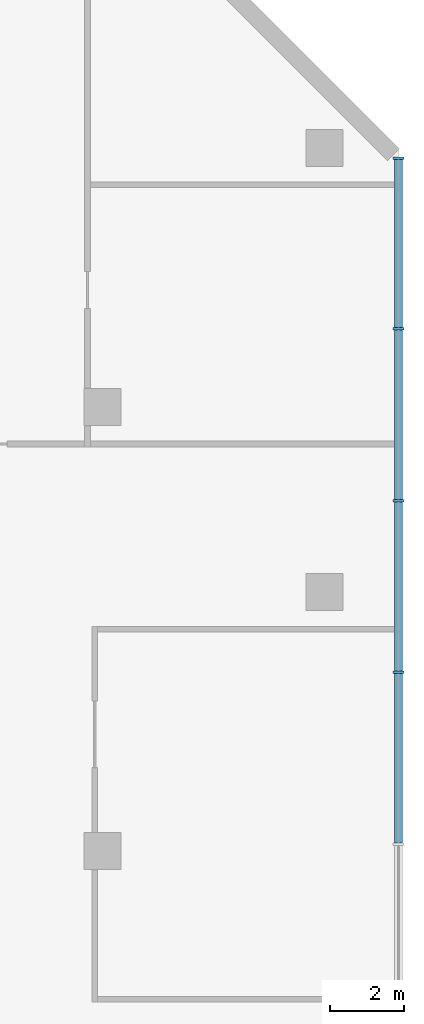
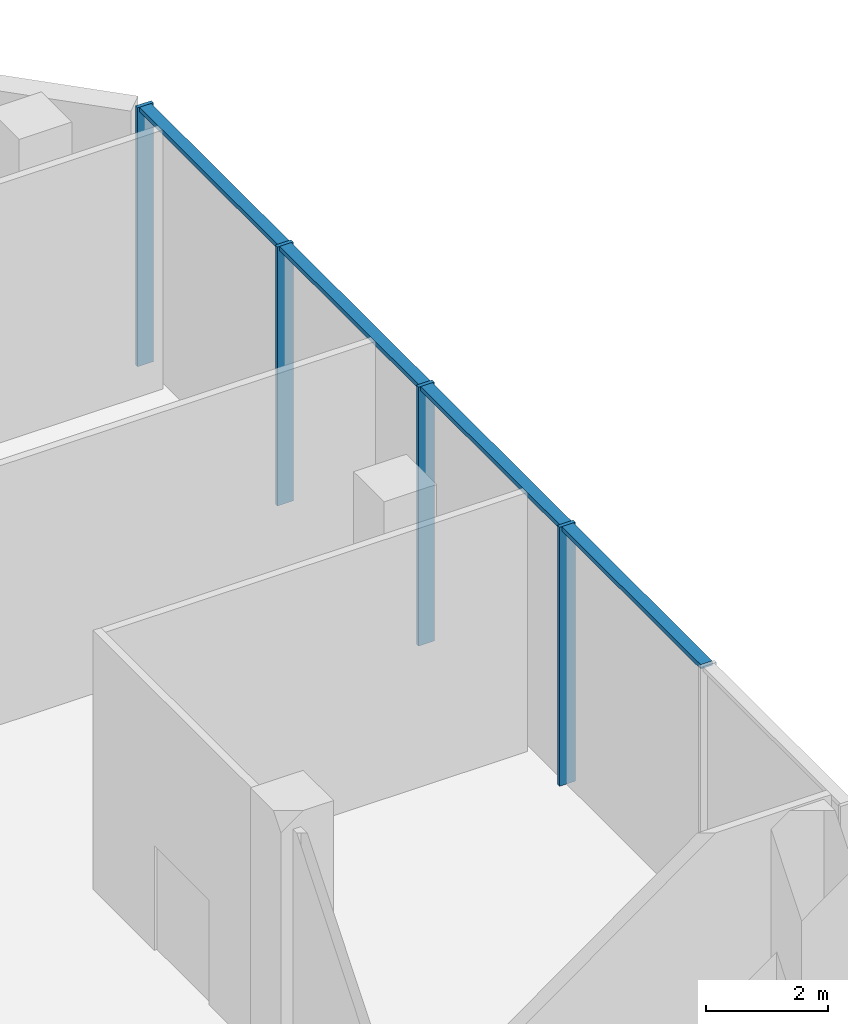
# One storey, part 7 of 25: 8 members, 1 element without a shape of its own.
"""IFC4 building model written with IfcOpenShell, lengths in metres."""

from ifc_helpers import new_model, si_unit, direction, frame, origin, origin_2d, place, context, subcontext, project, spatial, rectangle, extrude, material, material_profile, profile_set, type_object, element, aggregate, save


model = new_model("IFC4")

# Units and contexts
model_context = context("Model", 3, precision=1e-05, world=origin(), true_north=direction((0.0, 1.0)))
body_context = subcontext(model_context, "Body", "Model", "MODEL_VIEW")
ifc_project = project(units=[si_unit("LENGTHUNIT", "METRE"), si_unit("AREAUNIT", "SQUARE_METRE"), si_unit("VOLUMEUNIT", "CUBIC_METRE"), si_unit("PLANEANGLEUNIT", "RADIAN"), si_unit("MASSUNIT", "GRAM", prefix="KILO")], contexts=[model_context])

# Site, building, storey
site_placement = place(None, origin())
site = spatial("IfcSite", under=ifc_project, at=site_placement, CompositionType="ELEMENT")
building_placement = place(site_placement, origin())
building = spatial("IfcBuilding", under=site, at=building_placement, Name="Wharfspan Tower", CompositionType="ELEMENT")
storey_placement = place(building_placement, frame((0.0, 0.0, 27.5)))
storey = spatial("IfcBuildingStorey", under=building, at=storey_placement, Name="L04", CompositionType="ELEMENT", Elevation=27.5)

# Curtain wall, members
ifc_material = material(Name="Aluminium 6063-T6", Category="aluminium")
curtain_wall_type = type_object("IfcCurtainWallType", Name="CURTAIN WALL ARENA STICK WALL", PredefinedType="NOTDEFINED", material=ifc_material)
curtain_wall_placement = place(storey_placement, origin())
curtain_wall = element("IfcCurtainWall", 1, at=curtain_wall_placement, inside=storey, type_object=curtain_wall_type, Name="Concourse stick wall PF3.3", PredefinedType="NOTDEFINED")
ifc_material_profile_1 = material_profile(ifc_material, rectangle(XDim=0.300049, YDim=0.070068, at=origin_2d()))
ifc_profile_set_1 = profile_set([ifc_material_profile_1], Name="Aluminium 6063-T6")
member_type_1 = type_object("IfcMemberType", Name="MULLION ARENA STICK WALL 70x300", PredefinedType="MULLION", material=ifc_profile_set_1)
member_1_placement = place(storey_placement, frame((108.0, 35.830078, 0.0), z_axis=(0.0, 0.0, 1.0), x_axis=(-1.0, 0.0, 0.0)))
member_1 = element("IfcMember", 2, at=member_1_placement, type_object=member_type_1, Name="Concourse stick wall PF3.3 mullion 3", PredefinedType="MULLION", context=body_context, shape_type="SweptSolid", body=[
    extrude(rectangle(XDim=0.300049, YDim=0.070068, at=origin_2d()), origin(), (0.0, 0.0, 1.0), 5.199951),
])
member_2_placement = place(storey_placement, frame((108.0, 40.469971, 0.0), z_axis=(0.0, 0.0, 1.0), x_axis=(-1.0, 0.0, 0.0)))
member_2 = element("IfcMember", 3, at=member_2_placement, type_object=member_type_1, Name="Concourse stick wall PF3.3 mullion 4", PredefinedType="MULLION", context=body_context, shape_type="SweptSolid", body=[
    extrude(rectangle(XDim=0.300049, YDim=0.070068, at=origin_2d()), origin(), (0.0, 0.0, 1.0), 5.199951),
])
member_3_placement = place(storey_placement, frame((108.0, 45.110107, 0.0), z_axis=(0.0, 0.0, 1.0), x_axis=(-1.0, 0.0, 0.0)))
member_3 = element("IfcMember", 4, at=member_3_placement, type_object=member_type_1, Name="Concourse stick wall PF3.3 mullion 5", PredefinedType="MULLION", context=body_context, shape_type="SweptSolid", body=[
    extrude(rectangle(XDim=0.300049, YDim=0.070068, at=origin_2d()), origin(), (0.0, 0.0, 1.0), 5.199951),
])
member_4_placement = place(storey_placement, frame((108.0, 49.715088, 0.0), z_axis=(0.0, 0.0, 1.0), x_axis=(-1.0, 0.0, 0.0)))
member_4 = element("IfcMember", 5, at=member_4_placement, type_object=member_type_1, Name="Concourse stick wall PF3.3 mullion 6", PredefinedType="MULLION", context=body_context, shape_type="SweptSolid", body=[
    extrude(rectangle(XDim=0.300049, YDim=0.070068, at=origin_2d()), origin(), (0.0, 0.0, 1.0), 5.199951),
])
ifc_material_profile_2 = material_profile(ifc_material, rectangle(XDim=0.219971, YDim=0.090088, at=origin_2d()))
ifc_profile_set_2 = profile_set([ifc_material_profile_2], Name="Aluminium 6063-T6")
member_type_2 = type_object("IfcMemberType", Name="TRANSOM ARENA STICK WALL 90x220", PredefinedType="USERDEFINED", material=ifc_profile_set_2)
member_5_placement = place(storey_placement, frame((108.0, 31.225098, 5.155029), z_axis=(0.0, 1.0, 0.0), x_axis=(-1.0, 0.0, 0.0)))
member_5 = element("IfcMember", 6, at=member_5_placement, type_object=member_type_2, Name="Concourse stick wall PF3.3 transom 2", ObjectType="TRANSOM", PredefinedType="USERDEFINED", context=body_context, shape_type="SweptSolid", body=[
    extrude(rectangle(XDim=0.219971, YDim=0.090088, at=origin_2d()), origin(), (0.0, 0.0, 1.0), 4.569824),
])
member_6_placement = place(storey_placement, frame((108.0, 35.86499, 5.155029), z_axis=(0.0, 1.0, 0.0), x_axis=(-1.0, 0.0, 0.0)))
member_6 = element("IfcMember", 7, at=member_6_placement, type_object=member_type_2, Name="Concourse stick wall PF3.3 transom 3", ObjectType="TRANSOM", PredefinedType="USERDEFINED", context=body_context, shape_type="SweptSolid", body=[
    extrude(rectangle(XDim=0.219971, YDim=0.090088, at=origin_2d()), origin(), (0.0, 0.0, 1.0), 4.570068),
])
member_7_placement = place(storey_placement, frame((108.0, 40.504883, 5.155029), z_axis=(0.0, 1.0, 0.0), x_axis=(-1.0, 0.0, 0.0)))
member_7 = element("IfcMember", 8, at=member_7_placement, type_object=member_type_2, Name="Concourse stick wall PF3.3 transom 4", ObjectType="TRANSOM", PredefinedType="USERDEFINED", context=body_context, shape_type="SweptSolid", body=[
    extrude(rectangle(XDim=0.219971, YDim=0.090088, at=origin_2d()), origin(), (0.0, 0.0, 1.0), 4.570068),
])
member_8_placement = place(storey_placement, frame((108.0, 45.14502, 5.155029), z_axis=(0.0, 1.0, 0.0), x_axis=(-1.0, 0.0, 0.0)))
member_8 = element("IfcMember", 9, at=member_8_placement, type_object=member_type_2, Name="Concourse stick wall PF3.3 transom 5", ObjectType="TRANSOM", PredefinedType="USERDEFINED", context=body_context, shape_type="SweptSolid", body=[
    extrude(rectangle(XDim=0.219971, YDim=0.090088, at=origin_2d()), origin(), (0.0, 0.0, 1.0), 4.534912),
])
aggregate(curtain_wall, [member_1, member_2, member_3, member_4, member_5, member_6, member_7, member_8])

save(model, "model.ifc")
